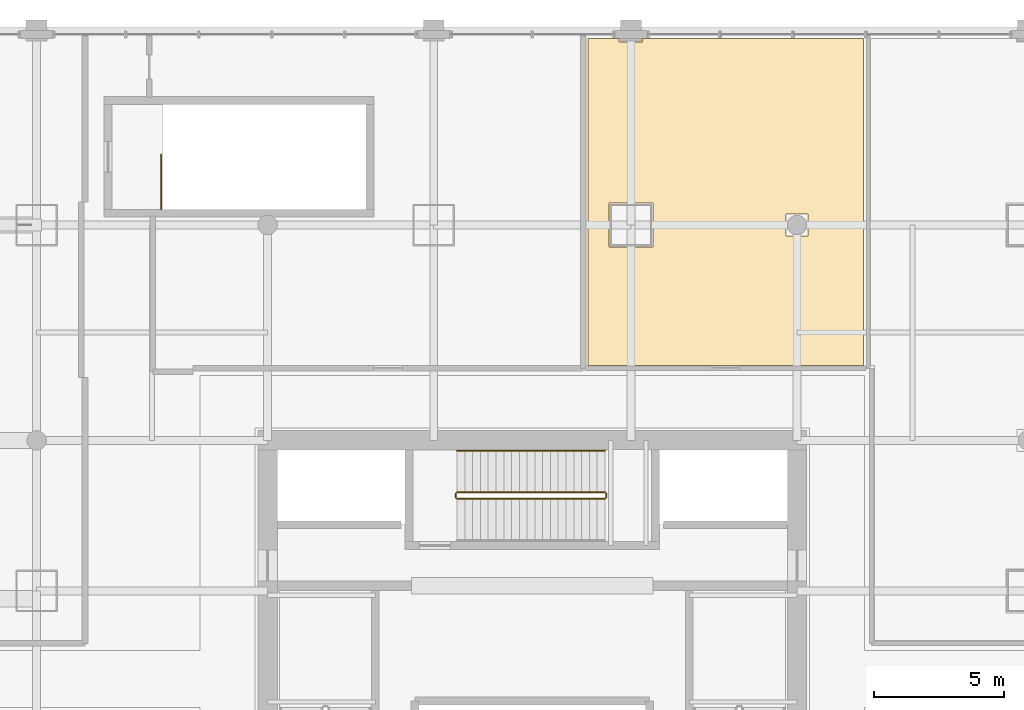
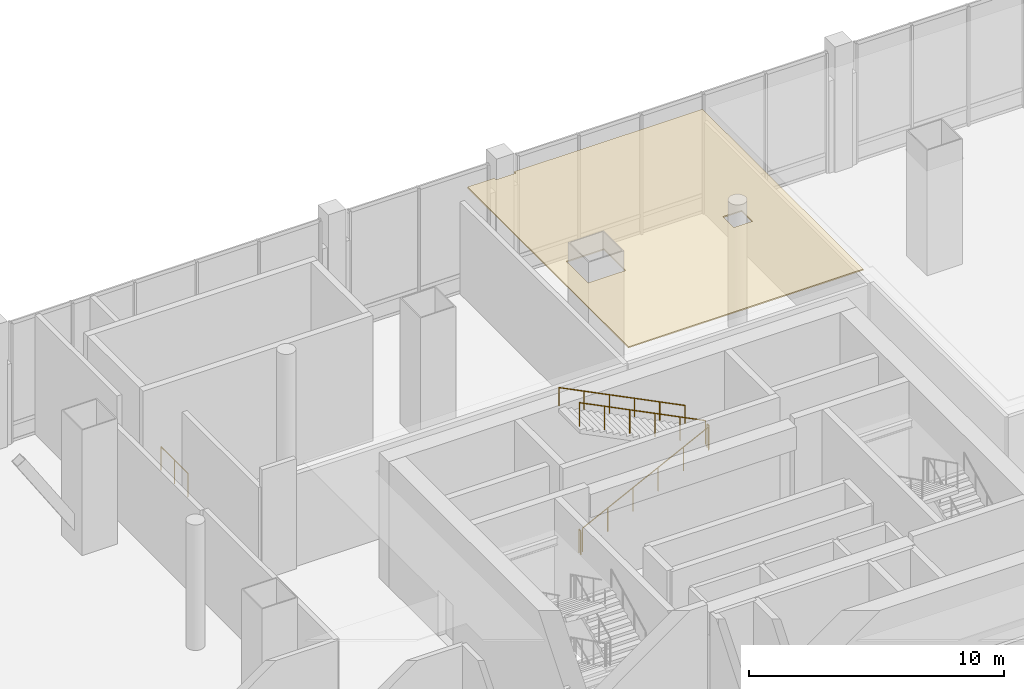
# One storey, part 36 of 38: 6 railings, 1 covering.
"""IFC4 building model written with IfcOpenShell, lengths in metres."""

from ifc_helpers import new_model, si_unit, direction, frame, origin, origin_2d, place, context, subcontext, project, spatial, polyline, circle, outline, extrude, material, layer, layer_set, type_object, element, save


model = new_model("IFC4")

# Units and contexts
model_context = context("Model", 3, precision=1e-05, world=origin(), true_north=direction((0.0, 1.0)))
body_context = subcontext(model_context, "Body", "Model", "MODEL_VIEW")
ifc_project = project(units=[si_unit("LENGTHUNIT", "METRE"), si_unit("AREAUNIT", "SQUARE_METRE"), si_unit("VOLUMEUNIT", "CUBIC_METRE"), si_unit("PLANEANGLEUNIT", "RADIAN"), si_unit("MASSUNIT", "GRAM", prefix="KILO")], contexts=[model_context])

# Site, building, storey
site_placement = place(None, origin())
site = spatial("IfcSite", under=ifc_project, at=site_placement, CompositionType="ELEMENT")
building_placement = place(site_placement, origin())
building = spatial("IfcBuilding", under=site, at=building_placement, Name="Punatoya Terracotta Tower", CompositionType="ELEMENT")
storey_placement = place(building_placement, frame((0.0, 0.0, 22.199951171875)))
storey = spatial("IfcBuildingStorey", under=building, at=storey_placement, Name="L04", CompositionType="ELEMENT", Elevation=22.199951171875)

# Covering
ifc_material_1 = material(Name="Acoustic Mineral Fibre Ceiling")
ifc_layer = layer(ifc_material_1, 0.06005859375)
ifc_layer_set = layer_set([ifc_layer], Name="Acoustic Mineral Fibre Ceiling")
covering_type = type_object("IfcCoveringType", Name="COV-CEIL-60", PredefinedType="CEILING", material=ifc_layer_set)
covering_placement = place(storey_placement, frame((0.0, 0.0, 5.010009765625)))
element("IfcCovering", 1, at=covering_placement, inside=storey, type_object=covering_type, Name="L04 North Facilities Engineering Office Acoustic Ceiling", PredefinedType="CEILING", context=body_context, shape_type="SweptSolid", body=[
    extrude(outline(polyline([(4.25, 24.550048828125), (3.35009765625, 24.550048828125), (3.35009765625, 24.679931640625), (2.139892578125, 24.679931640625), (2.139892578125, 12.080078125), (12.760009765625, 12.080078125), (12.760009765625, 24.679931640625), (4.25, 24.679931640625), (4.25, 24.550048828125)]), holes=[polyline([(10.625, 17.074951171875), (9.77490234375, 17.074951171875), (9.77490234375, 17.925048828125), (10.625, 17.925048828125), (10.625, 17.074951171875)]), polyline([(2.949951171875, 18.35009765625), (4.64990234375, 18.35009765625), (4.64990234375, 16.64990234375), (2.949951171875, 16.64990234375), (2.949951171875, 18.35009765625)])]), origin(), (0.0, 0.0, 1.0), 0.06005859375),
])

# Railings
ifc_material_2 = material(Name="Steel S355", Category="steel")
railing_type_1 = type_object("IfcRailingType", Name="RLG-GRD-1150", PredefinedType="GUARDRAIL", material=ifc_material_2)
railing_1_placement = place(storey_placement, frame((-2.89990234375, 6.949951171875, 0.150146484375)))
element("IfcRailing", 2, at=railing_1_placement, inside=storey, type_object=railing_type_1, Name="L04 ST-3 stair guard 1", PredefinedType="GUARDRAIL", context=body_context, shape_type="SweptSolid", body=[
    extrude(circle(Radius=0.02392578125, at=origin_2d()), frame((0.0, 0.0, 1.1259765625), z_axis=(0.894434852965, 0.0, 0.447198271241), x_axis=(0.0, 1.0, 0.0)), (0.0, 0.0, 1.0), 6.372802734375),
    extrude(circle(Radius=0.02099609375, at=origin_2d()), origin(), (0.0, 0.0, 1.0), 1.101806640625),
    extrude(circle(Radius=0.02099609375, at=origin_2d()), frame((1.139892578125, 0.0, 0.570068359375)), (0.0, 0.0, 1.0), 1.101806640625),
    extrude(circle(Radius=0.02099609375, at=origin_2d()), frame((2.280029296875, 0.0, 1.139892578125)), (0.0, 0.0, 1.0), 1.101806640625),
    extrude(circle(Radius=0.02099609375, at=origin_2d()), frame((3.419921875, 0.0, 1.7099609375)), (0.0, 0.0, 1.0), 1.101806640625),
    extrude(circle(Radius=0.02099609375, at=origin_2d()), frame((4.56005859375, 0.0, 2.27978515625)), (0.0, 0.0, 1.0), 1.101806640625),
    extrude(circle(Radius=0.02099609375, at=origin_2d()), frame((5.699951171875, 0.0, 2.849853515625)), (0.0, 0.0, 1.0), 1.101806640625),
])
railing_2_placement = place(storey_placement, frame((2.85009765625, 7.0, 3.0)))
element("IfcRailing", 3, at=railing_2_placement, inside=storey, type_object=railing_type_1, Name="L04 ST-3 stair guard 2", PredefinedType="GUARDRAIL", context=body_context, shape_type="SweptSolid", body=[
    extrude(circle(Radius=0.02392578125, at=origin_2d()), frame((0.0, 0.0, 1.1259765625), z_axis=(0.0, 1.0, 0.0), x_axis=(-1.0, 0.0, 0.0)), (0.0, 0.0, 1.0), 0.14990234375),
    extrude(circle(Radius=0.02099609375, at=origin_2d()), origin(), (0.0, 0.0, 1.0), 1.101806640625),
    extrude(circle(Radius=0.02099609375, at=origin_2d()), frame((0.0, 0.14990234375, 0.0)), (0.0, 0.0, 1.0), 1.101806640625),
])
railing_3_placement = place(storey_placement, frame((2.800048828125, 7.199951171875, 3.150146484375)))
element("IfcRailing", 4, at=railing_3_placement, inside=storey, type_object=railing_type_1, Name="L04 ST-3 stair guard 3", PredefinedType="GUARDRAIL", context=body_context, shape_type="SweptSolid", body=[
    extrude(circle(Radius=0.02392578125, at=origin_2d()), frame((0.0, 0.0, 1.1259765625), z_axis=(-0.894434852965, 0.0, 0.447198271241), x_axis=(0.0, -1.0, 0.0)), (0.0, 0.0, 1.0), 6.372802734375),
    extrude(circle(Radius=0.02099609375, at=origin_2d()), origin(), (0.0, 0.0, 1.0), 1.101806640625),
    extrude(circle(Radius=0.02099609375, at=origin_2d()), frame((-1.139892578125, 0.0, 0.570068359375)), (0.0, 0.0, 1.0), 1.101806640625),
    extrude(circle(Radius=0.02099609375, at=origin_2d()), frame((-2.280029296875, 0.0, 1.139892578125)), (0.0, 0.0, 1.0), 1.101806640625),
    extrude(circle(Radius=0.02099609375, at=origin_2d()), frame((-3.419921875, 0.0, 1.7099609375)), (0.0, 0.0, 1.0), 1.101806640625),
    extrude(circle(Radius=0.02099609375, at=origin_2d()), frame((-4.56005859375, 0.0, 2.27978515625)), (0.0, 0.0, 1.0), 1.101806640625),
    extrude(circle(Radius=0.02099609375, at=origin_2d()), frame((-5.699951171875, 0.0, 2.849853515625)), (0.0, 0.0, 1.0), 1.101806640625),
])
railing_4_placement = place(storey_placement, frame((-2.949951171875, 7.0, 0.0)))
element("IfcRailing", 5, at=railing_4_placement, inside=storey, type_object=railing_type_1, Name="L04 ST-3 stair guard 4", PredefinedType="GUARDRAIL", context=body_context, shape_type="SweptSolid", body=[
    extrude(circle(Radius=0.02392578125, at=origin_2d()), frame((0.0, 0.0, 1.1259765625), z_axis=(0.0, 1.0, 0.0), x_axis=(-1.0, 0.0, 0.0)), (0.0, 0.0, 1.0), 0.14990234375),
    extrude(circle(Radius=0.02099609375, at=origin_2d()), origin(), (0.0, 0.0, 1.0), 1.101806640625),
    extrude(circle(Radius=0.02099609375, at=origin_2d()), frame((0.0, 0.14990234375, 0.0)), (0.0, 0.0, 1.0), 1.101806640625),
])
railing_5_placement = place(storey_placement, frame((-14.300048828125, 18.10009765625, 0.0)))
element("IfcRailing", 6, at=railing_5_placement, inside=storey, type_object=railing_type_1, Name="L04 ST-P1 top well guard 1", PredefinedType="GUARDRAIL", context=body_context, shape_type="SweptSolid", body=[
    extrude(circle(Radius=0.02392578125, at=origin_2d()), frame((0.0, 0.0, 1.1259765625), z_axis=(0.0, 1.0, 0.0), x_axis=(-1.0, 0.0, 0.0)), (0.0, 0.0, 1.0), 2.099853515625),
    extrude(circle(Radius=0.02099609375, at=origin_2d()), origin(), (0.0, 0.0, 1.0), 1.101806640625),
    extrude(circle(Radius=0.02099609375, at=origin_2d()), frame((0.0, 1.0498046875, 0.0)), (0.0, 0.0, 1.0), 1.101806640625),
    extrude(circle(Radius=0.02099609375, at=origin_2d()), frame((0.0, 2.099853515625, 0.0)), (0.0, 0.0, 1.0), 1.101806640625),
])
railing_type_2 = type_object("IfcRailingType", Name="RLG-HND-900", PredefinedType="HANDRAIL", material=ifc_material_2)
railing_6_placement = place(storey_placement, frame((2.800048828125, 8.800048828125, 3.150146484375)))
element("IfcRailing", 7, at=railing_6_placement, inside=storey, type_object=railing_type_2, Name="L04 ST-3 stair handrail 2", PredefinedType="HANDRAIL", context=body_context, shape_type="SweptSolid", body=[
    extrude(circle(Radius=0.02392578125, at=origin_2d()), frame((0.0, 0.0, 0.8759765625), z_axis=(-0.894434852965, 0.0, 0.447198271241), x_axis=(0.0, -1.0, 0.0)), (0.0, 0.0, 1.0), 6.372802734375),
    extrude(circle(Radius=0.02099609375, at=origin_2d()), origin(), (0.0, 0.0, 1.0), 0.851806640625),
    extrude(circle(Radius=0.02099609375, at=origin_2d()), frame((-1.139892578125, 0.0, 0.570068359375)), (0.0, 0.0, 1.0), 0.851806640625),
    extrude(circle(Radius=0.02099609375, at=origin_2d()), frame((-2.280029296875, 0.0, 1.139892578125)), (0.0, 0.0, 1.0), 0.851806640625),
    extrude(circle(Radius=0.02099609375, at=origin_2d()), frame((-3.419921875, 0.0, 1.7099609375)), (0.0, 0.0, 1.0), 0.851806640625),
    extrude(circle(Radius=0.02099609375, at=origin_2d()), frame((-4.56005859375, 0.0, 2.27978515625)), (0.0, 0.0, 1.0), 0.851806640625),
    extrude(circle(Radius=0.02099609375, at=origin_2d()), frame((-5.699951171875, 0.0, 2.849853515625)), (0.0, 0.0, 1.0), 0.851806640625),
])

save(model, "model.ifc")
